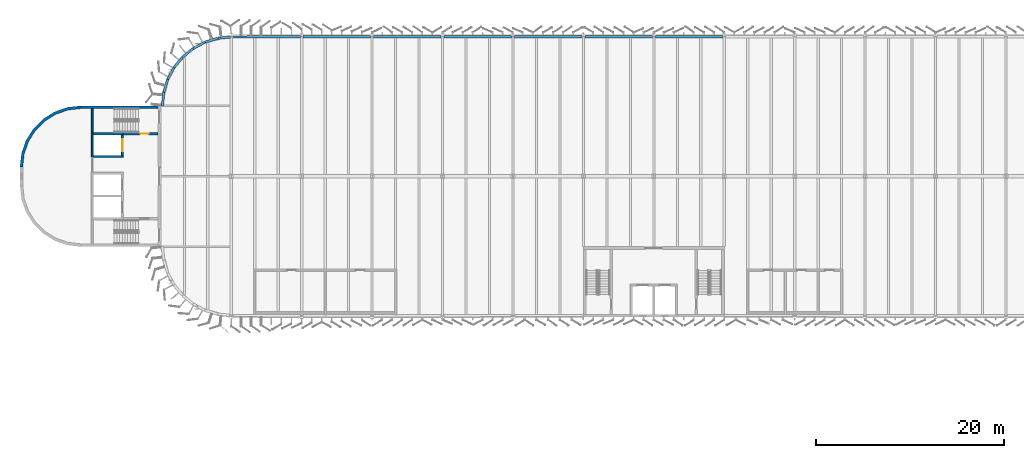
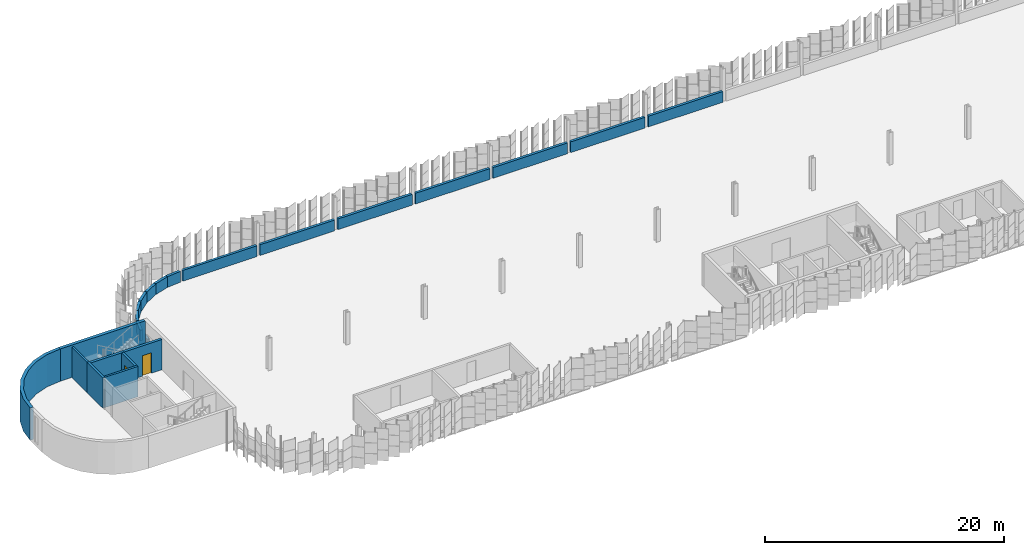
# One storey, part 79 of 214: 23 walls, 2 doors, 2 openings.
"""IFC4 building model written with IfcOpenShell, lengths in metres."""

from ifc_helpers import new_model, si_unit, direction, frame, frame_2d, origin, place, context, subcontext, project, spatial, polyline, rectangle, outline, extrude, material, layer, layer_set, type_object, element, fill, save


model = new_model("IFC4")

# Units and contexts
model_context = context("Model", 3, precision=1e-05, world=origin(), true_north=direction((0.0, 1.0)))
body_context = subcontext(model_context, "Body", "Model", "MODEL_VIEW")
ifc_project = project(units=[si_unit("LENGTHUNIT", "METRE"), si_unit("AREAUNIT", "SQUARE_METRE"), si_unit("VOLUMEUNIT", "CUBIC_METRE"), si_unit("PLANEANGLEUNIT", "RADIAN"), si_unit("MASSUNIT", "GRAM", prefix="KILO")], contexts=[model_context])

# Site, building, storey
site_placement = place(None, origin())
site = spatial("IfcSite", under=ifc_project, at=site_placement, CompositionType="ELEMENT")
building_placement = place(site_placement, origin())
building = spatial("IfcBuilding", under=site, at=building_placement, Name="Parallax Yard Mobility Hub", CompositionType="ELEMENT")
storey_placement = place(building_placement, frame((0.0, 0.0, 3.300048828125)))
storey = spatial("IfcBuildingStorey", under=building, at=storey_placement, Name="L01", CompositionType="ELEMENT", Elevation=3.300048828125)

# Walls
ifc_material_1 = material(Name="Concrete fc' 35 MPa", Category="concrete")
ifc_layer_1 = layer(ifc_material_1, 0.300048828125)
ifc_layer_set_1 = layer_set([ifc_layer_1], Name="Concrete fc' 35 MPa core wall 300")
wall_type_1 = type_object("IfcWallType", Name="Concrete fc' 35 MPa core wall 300", PredefinedType="SHEAR", material=ifc_layer_set_1)
wall_1_placement = place(storey_placement, frame((14.0, 134.85009765625, 0.0), z_axis=(0.0, 0.0, 1.0), x_axis=(1.0, 0.0, 0.0)))
element("IfcWall", 1, at=wall_1_placement, inside=storey, type_object=wall_type_1, Name="Core C-W east-side end wall level L01", PredefinedType="SHEAR", context=body_context, shape_type="SweptSolid", body=[
    extrude(rectangle(XDim=8.199951171875, YDim=0.300048828125, at=frame_2d((4.10009765625, 0.0))), origin(), (0.0, 0.0, 1.0), 3.300048828125),
])
wall_2_placement = place(storey_placement, origin())
element("IfcWall", 2, at=wall_2_placement, inside=storey, type_object=wall_type_1, Name="Core C-W rounded corner east level L01", PredefinedType="SHEAR", context=body_context, shape_type="SweptSolid", body=[
    extrude(outline(polyline([(14.0, 135.0), (12.5537109375, 134.8369140625), (11.1796875, 134.356201171875), (9.947265625, 133.581787109375), (8.918212890625, 132.552734375), (8.143798828125, 131.3203125), (7.6630859375, 129.9462890625), (7.5, 128.5), (7.800048828125, 128.5), (7.955322265625, 129.879638671875), (8.4140625, 131.190185546875), (9.152587890625, 132.365478515625), (10.134521484375, 133.347412109375), (11.309814453125, 134.0859375), (12.620361328125, 134.544677734375), (14.0, 134.699951171875), (14.0, 135.0)])), origin(), (0.0, 0.0, 1.0), 3.300048828125),
])

# Wall, opening, door
ifc_layer_2 = layer(ifc_material_1, 0.199951171875)
ifc_layer_set_2 = layer_set([ifc_layer_2], Name="Concrete fc' 35 MPa internal core wall 200")
wall_type_2 = type_object("IfcWallType", Name="Concrete fc' 35 MPa internal core wall 200", PredefinedType="STANDARD", material=ifc_layer_set_2)
wall_3_placement = place(storey_placement, frame((18.39990234375, 129.699951171875, 0.0), z_axis=(0.0, 0.0, 1.0), x_axis=(0.0, 1.0, 0.0)))
wall_3 = element("IfcWall", 3, at=wall_3_placement, inside=storey, type_object=wall_type_2, Name="Core C-W lift front 2 part 2 level L01", PredefinedType="STANDARD", context=body_context, shape_type="SweptSolid", body=[
    extrude(rectangle(XDim=2.199951171875, YDim=0.199951171875, at=frame_2d((1.10009765625, 0.0))), origin(), (0.0, 0.0, 1.0), 3.099853515625),
])
opening_1_placement = place(wall_3_placement, frame((0.449951171875, 0.0, 0.0)))
opening_1 = element("IfcOpeningElement", 4, at=opening_1_placement, cuts=wall_3, Name="Opening L01-D707", PredefinedType="OPENING", context=body_context, shape_type="SweptSolid", body=[
    extrude(rectangle(XDim=1.300048828125, YDim=2.10009765625, at=frame_2d((0.64990234375, 1.050048828125))), frame((0.0, 0.10986328125, 0.0), z_axis=(0.0, -1.0, 0.0), x_axis=(1.0, 0.0, 0.0)), (0.0, 0.0, 1.0), 0.219970703125),
])
ifc_material_2 = material(Name="Stainless steel sliding door and frame", Category="steel")
door_type_1 = type_object("IfcDoorType", Name="Goods lift landing door 1300 x 2100 FD90", OperationType="DOUBLE_DOOR_SLIDING", PredefinedType="DOOR", material=ifc_material_2)
door_1_placement = place(opening_1_placement, origin())
door_1 = element("IfcDoor", 5, at=door_1_placement, inside=storey, type_object=door_type_1, Name="Lift landing door L01-D707, core C-W level L01", OperationType="DOUBLE_DOOR_SLIDING", OverallHeight=2.10009765625, OverallWidth=1.300048828125, PredefinedType="DOOR", context=body_context, shape_type="SweptSolid", body=[
    extrude(rectangle(XDim=1.300048828125, YDim=2.10009765625, at=frame_2d((0.64990234375, 1.050048828125))), frame((0.0, 0.02490234375, 0.0), z_axis=(0.0, -1.0, 0.0), x_axis=(1.0, 0.0, 0.0)), (0.0, 0.0, 1.0), 0.050048828125),
])
fill(opening_1, door_1)

# Walls
wall_4_placement = place(storey_placement, frame((18.5, 129.60009765625, 0.0), z_axis=(0.0, 0.0, 1.0), x_axis=(-1.0, 0.0, 0.0)))
element("IfcWall", 6, at=wall_4_placement, inside=storey, type_object=wall_type_2, Name="Core C-W lift wall 3 part 3 level L01", PredefinedType="STANDARD", context=body_context, shape_type="SweptSolid", body=[
    extrude(rectangle(XDim=3.199951171875, YDim=0.199951171875, at=frame_2d((1.60009765625, 0.0))), origin(), (0.0, 0.0, 1.0), 3.099853515625),
])
wall_5_placement = place(storey_placement, frame((15.199951171875, 129.5, 0.0), z_axis=(0.0, 0.0, 1.0), x_axis=(0.0, 1.0, 0.0)))
element("IfcWall", 7, at=wall_5_placement, inside=storey, type_object=wall_type_2, Name="Core C-W plant wall 4 part 4 level L01", PredefinedType="STANDARD", context=body_context, shape_type="SweptSolid", body=[
    extrude(rectangle(XDim=2.64990234375, YDim=0.199951171875, at=frame_2d((1.324951171875, 0.0))), origin(), (0.0, 0.0, 1.0), 3.099853515625),
])
wall_6_placement = place(storey_placement, frame((15.199951171875, 132.14990234375, 0.0), z_axis=(0.0, 0.0, 1.0), x_axis=(0.0, 1.0, 0.0)))
element("IfcWall", 8, at=wall_6_placement, inside=storey, type_object=wall_type_2, Name="Core C-W plant wall 5 part 5 level L01", PredefinedType="STANDARD", context=body_context, shape_type="SweptSolid", body=[
    extrude(rectangle(XDim=2.550048828125, YDim=0.199951171875, at=frame_2d((1.27490234375, 0.0))), origin(), (0.0, 0.0, 1.0), 3.099853515625),
])

# Wall, opening, door
ifc_layer_3 = layer(ifc_material_1, 0.25)
ifc_layer_set_3 = layer_set([ifc_layer_3], Name="Concrete fc' 35 MPa stair enclosure wall 250")
wall_type_3 = type_object("IfcWallType", Name="Concrete fc' 35 MPa stair enclosure wall 250", PredefinedType="STANDARD", material=ifc_layer_set_3)
wall_7_placement = place(storey_placement, frame((18.5, 132.02490234375, 0.0), z_axis=(0.0, 0.0, 1.0), x_axis=(1.0, 0.0, 0.0)))
wall_7 = element("IfcWall", 9, at=wall_7_placement, inside=storey, type_object=wall_type_3, Name="Core C-W stair 2 partition 1 part 1 level L01", PredefinedType="STANDARD", context=body_context, shape_type="SweptSolid", body=[
    extrude(rectangle(XDim=3.699951171875, YDim=0.25, at=frame_2d((1.85009765625, 0.0))), origin(), (0.0, 0.0, 1.0), 3.099853515625),
])
opening_2_placement = place(wall_7_placement, frame((1.800048828125, 0.0, 0.0)))
opening_2 = element("IfcOpeningElement", 10, at=opening_2_placement, cuts=wall_7, Name="Opening L01-D704", PredefinedType="OPENING", context=body_context, shape_type="SweptSolid", body=[
    extrude(rectangle(XDim=0.89990234375, YDim=2.10009765625, at=frame_2d((0.449951171875, 1.050048828125))), frame((0.0, 0.135009765625, 0.0), z_axis=(0.0, -1.0, 0.0), x_axis=(1.0, 0.0, 0.0)), (0.0, 0.0, 1.0), 0.27001953125),
])
ifc_material_3 = material(Name="Hollow metal steel door and frame", Category="steel")
door_type_2 = type_object("IfcDoorType", Name="Core door 900 x 2100 FD90", OperationType="NOTDEFINED", PredefinedType="DOOR", material=ifc_material_3)
door_2_placement = place(opening_2_placement, origin())
door_2 = element("IfcDoor", 11, at=door_2_placement, inside=storey, type_object=door_type_2, Name="Stair lobby door L01-D704, core C-W level L01", OperationType="SINGLE_SWING_RIGHT", OverallHeight=2.10009765625, OverallWidth=0.89990234375, PredefinedType="DOOR", context=body_context, shape_type="SweptSolid", body=[
    extrude(rectangle(XDim=0.89990234375, YDim=2.10009765625, at=frame_2d((0.449951171875, 1.050048828125))), frame((0.0, 0.02490234375, 0.0), z_axis=(0.0, -1.0, 0.0), x_axis=(1.0, 0.0, 0.0)), (0.0, 0.0, 1.0), 0.050048828125),
])
fill(opening_2, door_2)

# Walls
wall_8_placement = place(storey_placement, frame((18.5, 132.02490234375, 0.0), z_axis=(0.0, 0.0, 1.0), x_axis=(-1.0, 0.0, 0.0)))
element("IfcWall", 12, at=wall_8_placement, inside=storey, type_object=wall_type_3, Name="Core C-W stair 2 partition 2 part 2 level L01", PredefinedType="STANDARD", context=body_context, shape_type="SweptSolid", body=[
    extrude(rectangle(XDim=3.199951171875, YDim=0.25, at=frame_2d((1.60009765625, 0.0))), origin(), (0.0, 0.0, 1.0), 3.099853515625),
])
ifc_layer_4 = layer(ifc_material_1, 0.25)
ifc_layer_set_4 = layer_set([ifc_layer_4], Name="Deck-edge barrier wall, Concrete fc' 35 MPa precast, 250")
wall_type_4 = type_object("IfcWallType", Name="Deck-edge barrier wall, Concrete fc' 35 MPa precast, 250", PredefinedType="SOLIDWALL", material=ifc_layer_set_4)
for number, where, z_axis, x_axis, name in (
    (13, (82.348388671875, 142.3525390625, 0.0), (0.0, 0.0, 1.0), (-1.0, 0.0, 0.0), "Deck-edge barrier wall bay 63 level L01"),
    (14, (74.848388671875, 142.3525390625, 0.0), (0.0, 0.0, 1.0), (-1.0, 0.0, 0.0), "Deck-edge barrier wall bay 64 level L01"),
    (15, (67.348388671875, 142.3525390625, 0.0), (0.0, 0.0, 1.0), (-1.0, 0.0, 0.0), "Deck-edge barrier wall bay 65 level L01"),
    (16, (59.848388671875, 142.3525390625, 0.0), (0.0, 0.0, 1.0), (-1.0, 0.0, 0.0), "Deck-edge barrier wall bay 66 level L01"),
    (17, (52.348388671875, 142.3525390625, 0.0), (0.0, 0.0, 1.0), (-1.0, 0.0, 0.0), "Deck-edge barrier wall bay 67 level L01"),
    (18, (44.848388671875, 142.3525390625, 0.0), (0.0, 0.0, 1.0), (-1.0, 0.0, 0.0), "Deck-edge barrier wall bay 68 level L01"),
):
    element("IfcWall", number, at=place(storey_placement, frame(where, z_axis=z_axis, x_axis=x_axis)), inside=storey, type_object=wall_type_4, Name=name, PredefinedType="SOLIDWALL", context=body_context, shape_type="SweptSolid", body=[
        extrude(rectangle(XDim=7.19677734375, YDim=0.25, at=frame_2d((3.598388671875, 0.0))), origin(), (0.0, 0.0, 1.0), 1.099853515625),
    ])
wall_9_placement = place(storey_placement, frame((37.348388671875, 142.3525390625, 0.0), z_axis=(0.0, 0.0, 1.0), x_axis=(-0.999995524678, -0.002991759236, 0.0)))
element("IfcWall", 19, at=wall_9_placement, inside=storey, type_object=wall_type_4, Name="Deck-edge barrier wall bay 69 level L01", PredefinedType="SOLIDWALL", context=body_context, shape_type="SweptSolid", body=[
    extrude(rectangle(XDim=7.18115234375, YDim=0.25, at=frame_2d((3.590576171875, 0.0))), origin(), (0.0, 0.0, 1.0), 1.099853515625),
])
wall_10_placement = place(storey_placement, frame((29.91796875, 142.322021484375, 0.0), z_axis=(0.0, 0.0, 1.0), x_axis=(-0.995194503808, -0.097917820601, 0.0)))
element("IfcWall", 20, at=wall_10_placement, inside=storey, type_object=wall_type_4, Name="Deck-edge barrier wall bay 70-1 level L01", PredefinedType="SOLIDWALL", context=body_context, shape_type="SweptSolid", body=[
    extrude(rectangle(XDim=1.34130859375, YDim=0.25, at=frame_2d((0.670654296875, 0.0))), origin(), (0.0, 0.0, 1.0), 1.099853515625),
])
for number, where, z_axis, x_axis, name in (
    (21, (28.55810546875, 142.185791015625, 0.0), (0.0, 0.0, 1.0), (-0.956916642626, -0.290362771488, 0.0), "Deck-edge barrier wall bay 70-2 level L01"),
    (22, (27.1845703125, 141.7666015625, 0.0), (0.0, 0.0, 1.0), (-0.881950271557, -0.47134246414, 0.0), "Deck-edge barrier wall bay 70-3 level L01"),
    (23, (25.919189453125, 141.08740234375, 0.0), (0.0, 0.0, 1.0), (-0.773162570817, -0.634207883179, 0.0), "Deck-edge barrier wall bay 70-4 level L01"),
    (24, (24.810546875, 140.1748046875, 0.0), (0.0, 0.0, 1.0), (-0.634687762211, -0.772768687577, 0.0), "Deck-edge barrier wall bay 70-5 level L01"),
    (25, (23.90087890625, 139.0634765625, 0.0), (0.0, 0.0, 1.0), (-0.471683538305, -0.881767905796, 0.0), "Deck-edge barrier wall bay 70-6 level L01"),
):
    element("IfcWall", number, at=place(storey_placement, frame(where, z_axis=z_axis, x_axis=x_axis)), inside=storey, type_object=wall_type_4, Name=name, PredefinedType="SOLIDWALL", context=body_context, shape_type="SweptSolid", body=[
        extrude(rectangle(XDim=1.410888671875, YDim=0.25, at=frame_2d((0.70556640625, 0.0))), origin(), (0.0, 0.0, 1.0), 1.099853515625),
    ])
wall_11_placement = place(storey_placement, frame((23.2255859375, 137.796142578125, 0.0), z_axis=(0.0, 0.0, 1.0), x_axis=(-0.290679627319, -0.956820439927, 0.0)))
element("IfcWall", 26, at=wall_11_placement, inside=storey, type_object=wall_type_4, Name="Deck-edge barrier wall bay 70-7 level L01", PredefinedType="SOLIDWALL", context=body_context, shape_type="SweptSolid", body=[
    extrude(rectangle(XDim=1.4111328125, YDim=0.25, at=frame_2d((0.70556640625, 0.0))), origin(), (0.0, 0.0, 1.0), 1.099853515625),
])
wall_12_placement = place(storey_placement, frame((22.810546875, 136.42138671875, 0.0), z_axis=(0.0, 0.0, 1.0), x_axis=(-0.098479948823, -0.995139035351, 0.0)))
element("IfcWall", 27, at=wall_12_placement, inside=storey, type_object=wall_type_4, Name="Deck-edge barrier wall bay 70-8 level L01", PredefinedType="SOLIDWALL", context=body_context, shape_type="SweptSolid", body=[
    extrude(rectangle(XDim=1.4404296875, YDim=0.25, at=frame_2d((0.72021484375, 0.0))), origin(), (0.0, 0.0, 1.0), 1.099853515625),
])

save(model, "model.ifc")
